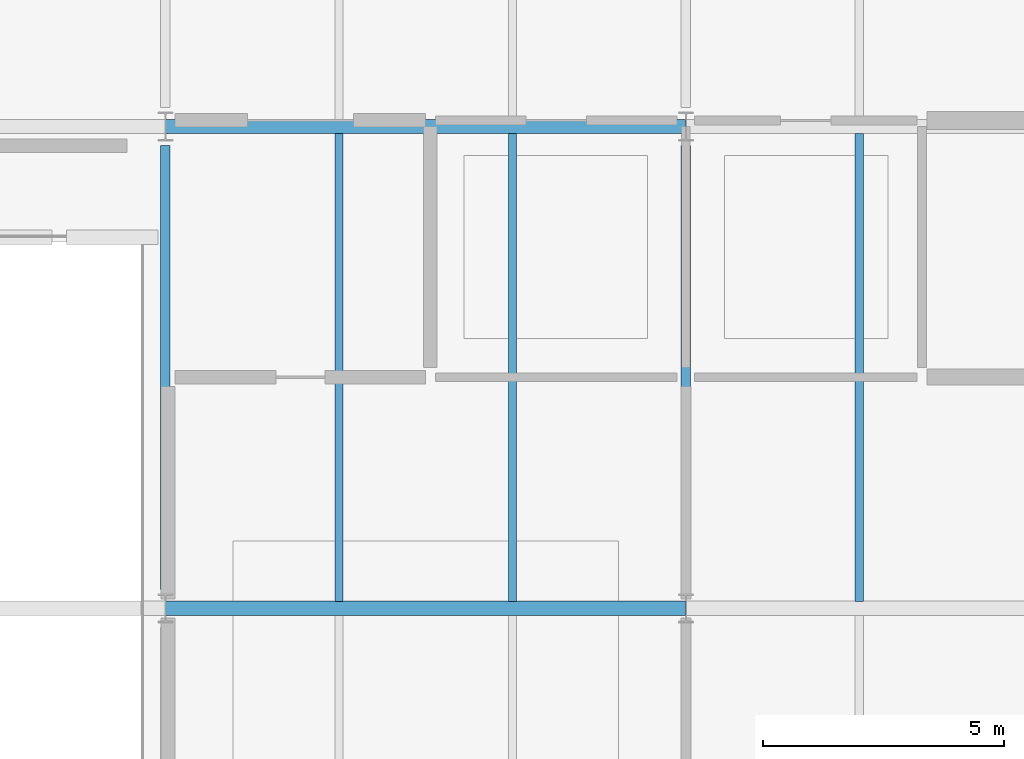
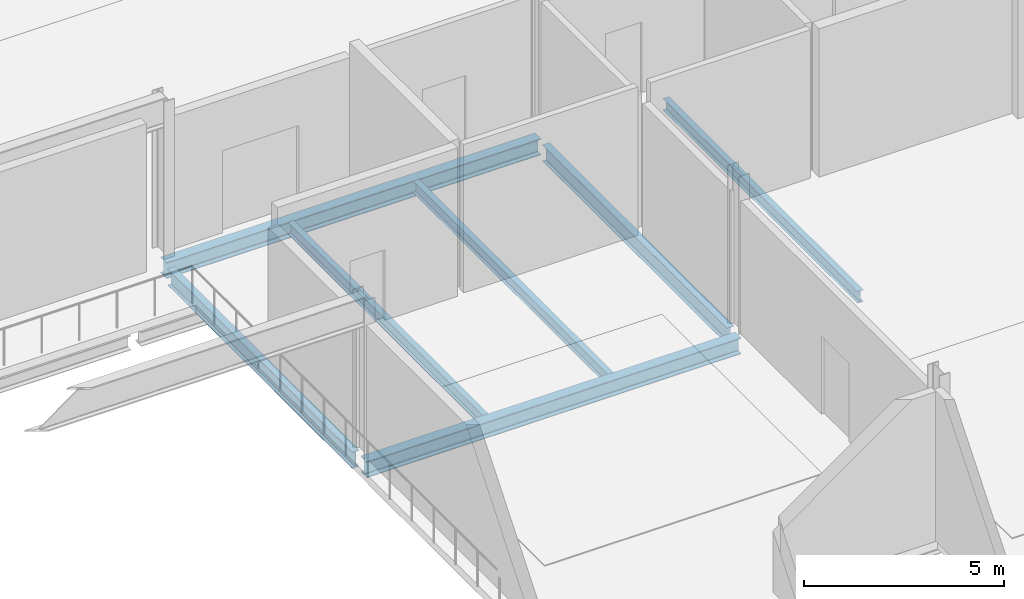
# One storey, part 20 of 92: 7 beams.
"""IFC4 building model written with IfcOpenShell, lengths in metres."""

from ifc_helpers import new_model, si_unit, direction, frame, origin, origin_2d, place, context, subcontext, project, spatial, i_section, extrude, material, material_profile, profile_set, type_object, element, save


model = new_model("IFC4")

# Units and contexts
model_context = context("Model", 3, precision=1e-05, world=origin(), true_north=direction((0.0, 1.0)))
body_context = subcontext(model_context, "Body", "Model", "MODEL_VIEW")
ifc_project = project(units=[si_unit("LENGTHUNIT", "METRE"), si_unit("AREAUNIT", "SQUARE_METRE"), si_unit("VOLUMEUNIT", "CUBIC_METRE"), si_unit("PLANEANGLEUNIT", "RADIAN"), si_unit("MASSUNIT", "GRAM", prefix="KILO")], contexts=[model_context])

# Site, building, storey
site_placement = place(None, origin())
site = spatial("IfcSite", under=ifc_project, at=site_placement, CompositionType="ELEMENT")
building_placement = place(site_placement, origin())
building = spatial("IfcBuilding", under=site, at=building_placement, Name="Tasgan Crest Museum", CompositionType="ELEMENT")
storey_placement = place(building_placement, frame((0.0, 0.0, 4.800048828125)))
storey = spatial("IfcBuildingStorey", under=building, at=storey_placement, Name="L01", CompositionType="ELEMENT", Elevation=4.800048828125)

# Beams
ifc_material_1 = material(Name="Steel S355J2", Category="steel")
ifc_material_profile_1 = material_profile(ifc_material_1, i_section(OverallWidth=0.300048828125, OverallDepth=0.489990234375, WebThickness=0.011962890625, FlangeThickness=0.02294921875, FilletRadius=0.027099609375, at=origin_2d()), Name="HEA 500")
ifc_profile_set_1 = profile_set([ifc_material_profile_1], Name="Steel S355J2")
beam_type_1 = type_object("IfcBeamType", Name="BM-G-HEA500", PredefinedType="BEAM", material=ifc_profile_set_1)
for number, where, z_axis, x_axis, name in (
    (1, (32.40673828125, 20.0, -0.485107421875), (1.0, 0.0, 0.0), (0.0, 1.0, 0.0), "Girder L01 C 32.4-43.2"),
    (2, (32.40673828125, 30.0, -0.485107421875), (1.0, 0.0, 0.0), (0.0, 1.0, 0.0), "Girder L01 D 32.4-43.2"),
):
    element("IfcBeam", number, at=place(storey_placement, frame(where, z_axis=z_axis, x_axis=x_axis)), inside=storey, type_object=beam_type_1, Name=name, PredefinedType="BEAM", context=body_context, shape_type="SweptSolid", body=[
        extrude(i_section(OverallWidth=0.300048828125, OverallDepth=0.489990234375, WebThickness=0.011962890625, FlangeThickness=0.02294921875, FilletRadius=0.027099609375, at=origin_2d()), origin(), (0.0, 0.0, 1.0), 10.78662109375),
    ])
ifc_material_2 = material(Name="Steel S355J2", Category="steel")
ifc_material_profile_2 = material_profile(ifc_material_2, i_section(OverallWidth=0.199951171875, OverallDepth=0.5, WebThickness=0.01025390625, FlangeThickness=0.01611328125, FilletRadius=0.02099609375, at=origin_2d()), Name="IPE 500")
ifc_profile_set_2 = profile_set([ifc_material_profile_2], Name="Steel S355J2")
beam_type_2 = type_object("IfcBeamType", Name="BM-G-IPE500", PredefinedType="BEAM", material=ifc_profile_set_2)
for number, where, z_axis, x_axis, name in (
    (3, (32.39990234375, 20.39501953125, -0.489990234375), (0.0, 1.0, 0.0), (-1.0, 0.0, 0.0), "Beam L01 4 20.0-30.0"),
    (4, (43.199951171875, 20.39501953125, -0.489990234375), (0.0, 1.0, 0.0), (-1.0, 0.0, 0.0), "Beam L01 5 20.0-30.0"),
):
    element("IfcBeam", number, at=place(storey_placement, frame(where, z_axis=z_axis, x_axis=x_axis)), inside=storey, type_object=beam_type_2, Name=name, PredefinedType="BEAM", context=body_context, shape_type="SweptSolid", body=[
        extrude(i_section(OverallWidth=0.199951171875, OverallDepth=0.5, WebThickness=0.01025390625, FlangeThickness=0.01611328125, FilletRadius=0.02099609375, at=origin_2d()), origin(), (0.0, 0.0, 1.0), 9.2099609375),
    ])
ifc_material_3 = material(Name="Steel S355J2", Category="steel")
ifc_material_profile_3 = material_profile(ifc_material_3, i_section(OverallWidth=0.169921875, OverallDepth=0.360107421875, WebThickness=0.008056640625, FlangeThickness=0.0126953125, FilletRadius=0.01806640625, at=origin_2d()), Name="IPE 360")
ifc_profile_set_3 = profile_set([ifc_material_profile_3], Name="Steel S355J2")
beam_type_3 = type_object("IfcBeamType", Name="BM-J-IPE360", PredefinedType="JOIST", material=ifc_profile_set_3)
for number, where, z_axis, x_axis, name in (
    (5, (36.0, 20.14501953125, -0.420166015625), (0.0, 1.0, 0.0), (-1.0, 0.0, 0.0), "Secondary joist L01 X=36.0 Y=20.0-30.0"),
    (6, (39.60009765625, 20.14501953125, -0.420166015625), (0.0, 1.0, 0.0), (-1.0, 0.0, 0.0), "Secondary joist L01 X=39.6 Y=20.0-30.0"),
    (7, (46.800048828125, 20.14501953125, -0.420166015625), (0.0, 1.0, 0.0), (-1.0, 0.0, 0.0), "Secondary joist L01 X=46.8 Y=20.0-30.0"),
):
    element("IfcBeam", number, at=place(storey_placement, frame(where, z_axis=z_axis, x_axis=x_axis)), inside=storey, type_object=beam_type_3, Name=name, PredefinedType="JOIST", context=body_context, shape_type="SweptSolid", body=[
        extrude(i_section(OverallWidth=0.169921875, OverallDepth=0.360107421875, WebThickness=0.008056640625, FlangeThickness=0.0126953125, FilletRadius=0.01806640625, at=origin_2d()), origin(), (0.0, 0.0, 1.0), 9.7099609375),
    ])

save(model, "model.ifc")
